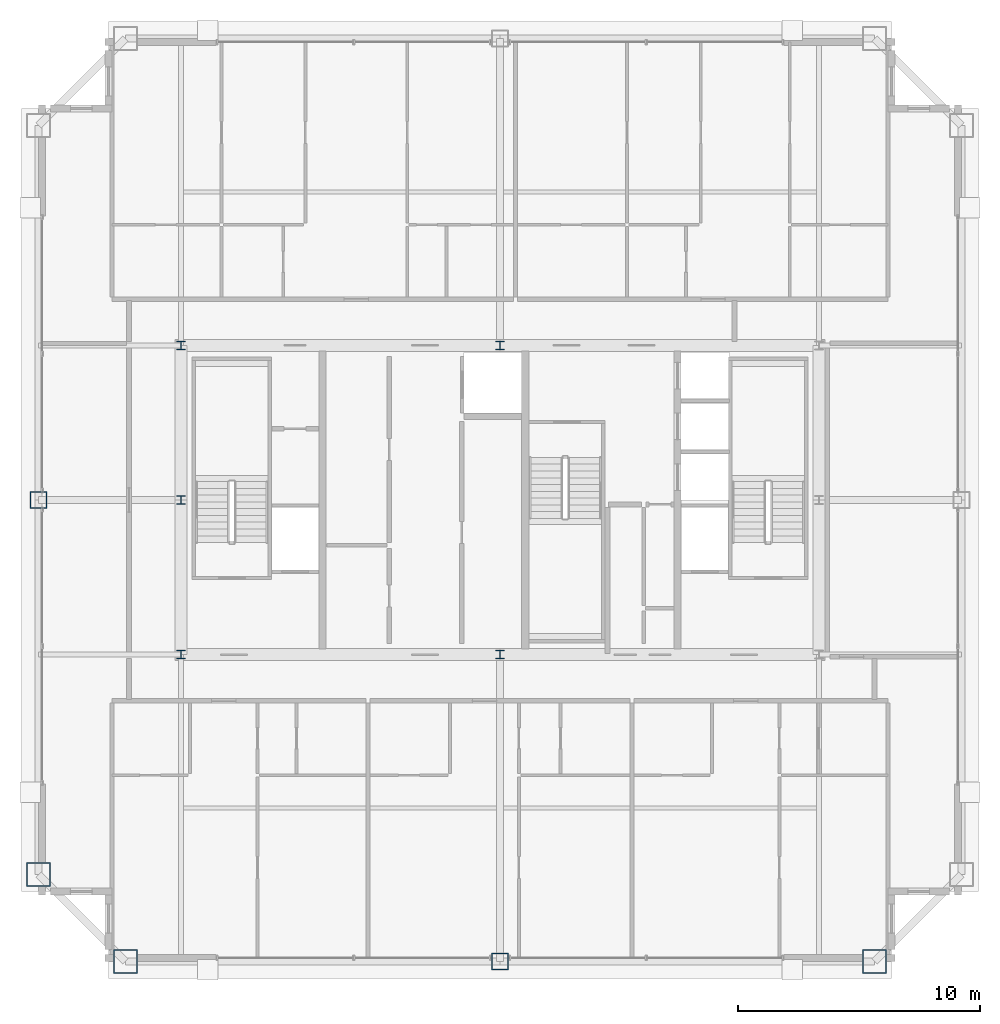
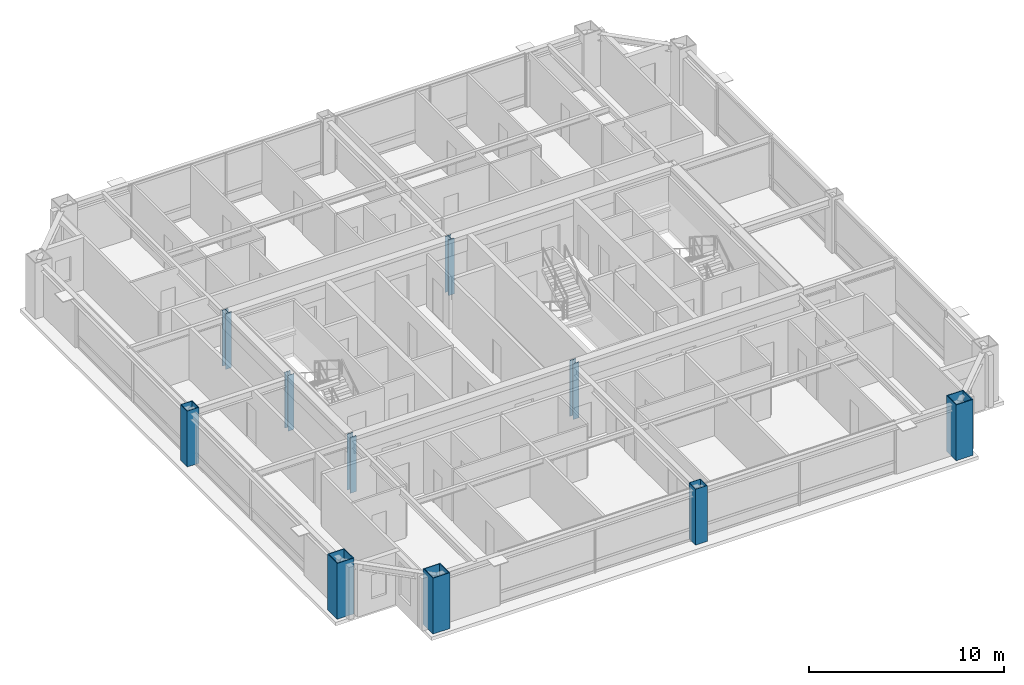
# One storey, part 1 of 35: 10 columns.
"""IFC4 building model written with IfcOpenShell, lengths in metres."""

from ifc_helpers import new_model, si_unit, direction, frame, origin, origin_2d, place, context, subcontext, project, spatial, hollow_rectangle, i_section, extrude, source, transform, mapped, material, material_profile, profile_set, type_object, element, save


model = new_model("IFC4")

# Units and contexts
model_context = context("Model", 3, precision=1e-05, world=origin(), true_north=direction((0.0, 1.0)))
body_context = subcontext(model_context, "Body", "Model", "MODEL_VIEW")
ifc_project = project(units=[si_unit("LENGTHUNIT", "METRE"), si_unit("AREAUNIT", "SQUARE_METRE"), si_unit("VOLUMEUNIT", "CUBIC_METRE"), si_unit("PLANEANGLEUNIT", "RADIAN"), si_unit("MASSUNIT", "GRAM", prefix="KILO"), si_unit("THERMODYNAMICTEMPERATUREUNIT", "KELVIN"), si_unit("POWERUNIT", "WATT")], contexts=[model_context])

# Site, building, storey
site_placement = place(None, origin())
site = spatial("IfcSite", under=ifc_project, at=site_placement, CompositionType="ELEMENT")
building_placement = place(site_placement, origin())
building = spatial("IfcBuilding", under=site, at=building_placement, Name="Yuzanri Waterfront Tower", CompositionType="ELEMENT")
storey_placement = place(building_placement, frame((0.0, 0.0, 289.10009765625)))
storey = spatial("IfcBuildingStorey", under=building, at=storey_placement, Name="L77", CompositionType="ELEMENT", Elevation=289.10009765625)

# Columns
ifc_material_1 = material(Name="Steel Q355B", Category="steel")
ifc_material_profile_1 = material_profile(ifc_material_1, hollow_rectangle(XDim=0.699951171875, YDim=0.699951171875, WallThickness=0.031982421875, at=origin_2d()), Name="RHS 700x700x32")
ifc_profile_set_1 = profile_set([ifc_material_profile_1], Name="Steel Q355B")
column_type_1 = type_object("IfcColumnType", Name="Frame Column Q355B RHS 700x700x32", PredefinedType="COLUMN", material=ifc_profile_set_1)
shared_shape_1 = source(origin(), body_context, "Body", "SweptSolid", [
    extrude(hollow_rectangle(XDim=0.699951171875, YDim=0.699951171875, WallThickness=0.031982421875, at=origin_2d()), origin(), (0.0, 0.0, 1.0), 3.5),
])
for number, where, z_axis, x_axis, name in (
    (1, (37.0, 6.699951171875, 0.0), (0.0, 0.0, 1.0), (1.0, 0.0, 0.0), "L77 Perimeter Frame Column S2"),
    (2, (17.89990234375, 25.800048828125, 0.0), (0.0, 0.0, 1.0), (1.0, 0.0, 0.0), "L77 Perimeter Frame Column W2"),
):
    element("IfcColumn", number, at=place(storey_placement, frame(where, z_axis=z_axis, x_axis=x_axis)), inside=storey, type_object=column_type_1, Name=name, PredefinedType="COLUMN", context=body_context, shape_type="MappedRepresentation", body=[
        mapped(shared_shape_1, transform((0.0, 0.0, 0.0), scale=1.0)),
    ])
ifc_material_2 = material(Name="Steel Q355B", Category="steel")
ifc_material_profile_2 = material_profile(ifc_material_2, i_section(OverallWidth=0.35009765625, OverallDepth=0.35009765625, WebThickness=0.011962890625, FlangeThickness=0.01904296875, at=origin_2d()), Name="HW 350x350x12x19")
ifc_profile_set_2 = profile_set([ifc_material_profile_2], Name="Steel Q355B")
column_type_2 = type_object("IfcColumnType", Name="Core Post Q355B HW 350x350x12x19", PredefinedType="COLUMN", material=ifc_profile_set_2)
shared_shape_2 = source(origin(), body_context, "Body", "SweptSolid", [
    extrude(i_section(OverallWidth=0.35009765625, OverallDepth=0.35009765625, WebThickness=0.011962890625, FlangeThickness=0.01904296875, at=origin_2d()), origin(), (0.0, 0.0, 1.0), 3.5),
])
for number, where, z_axis, x_axis, name in (
    (3, (23.800048828125, 19.39990234375, 0.0), (0.0, 0.0, 1.0), (1.0, 0.0, 0.0), "L77 Core Boundary Column CP1"),
    (4, (37.0, 19.39990234375, 0.0), (0.0, 0.0, 1.0), (1.0, 0.0, 0.0), "L77 Core Boundary Column CP2"),
    (5, (23.800048828125, 25.800048828125, 0.0), (0.0, 0.0, 1.0), (1.0, 0.0, 0.0), "L77 Core Boundary Column CP4"),
    (6, (23.800048828125, 32.199951171875, 0.0), (0.0, 0.0, 1.0), (1.0, 0.0, 0.0), "L77 Core Boundary Column CP6"),
    (7, (37.0, 32.199951171875, 0.0), (0.0, 0.0, 1.0), (1.0, 0.0, 0.0), "L77 Core Boundary Column CP7"),
):
    element("IfcColumn", number, at=place(storey_placement, frame(where, z_axis=z_axis, x_axis=x_axis)), inside=storey, type_object=column_type_2, Name=name, PredefinedType="COLUMN", context=body_context, shape_type="MappedRepresentation", body=[
        mapped(shared_shape_2, transform((0.0, 0.0, 0.0), scale=1.0)),
    ])
ifc_material_3 = material(Name="Steel Q390GJC", Category="steel")
ifc_material_profile_3 = material_profile(ifc_material_3, hollow_rectangle(XDim=1.0, YDim=1.0, WallThickness=0.048095703125, at=origin_2d()), Name="RHS 1000x1000x48")
ifc_profile_set_3 = profile_set([ifc_material_profile_3], Name="Steel Q390GJC")
column_type_3 = type_object("IfcColumnType", Name="Mega Column Q390GJC RHS 1000x1000x48", PredefinedType="COLUMN", material=ifc_profile_set_3)
shared_shape_3 = source(origin(), body_context, "Body", "SweptSolid", [
    extrude(hollow_rectangle(XDim=1.0, YDim=1.0, WallThickness=0.048095703125, at=origin_2d()), origin(), (0.0, 0.0, 1.0), 3.5),
])
for number, where, z_axis, x_axis, name in (
    (8, (21.5, 6.699951171875, 0.0), (0.0, 0.0, 1.0), (1.0, 0.0, 0.0), "L77 Perimeter Mega Column S1"),
    (9, (52.5, 6.699951171875, 0.0), (0.0, 0.0, 1.0), (1.0, 0.0, 0.0), "L77 Perimeter Mega Column S3"),
    (10, (17.89990234375, 10.300048828125, 0.0), (0.0, 0.0, 1.0), (1.0, 0.0, 0.0), "L77 Perimeter Mega Column W1"),
):
    element("IfcColumn", number, at=place(storey_placement, frame(where, z_axis=z_axis, x_axis=x_axis)), inside=storey, type_object=column_type_3, Name=name, PredefinedType="COLUMN", context=body_context, shape_type="MappedRepresentation", body=[
        mapped(shared_shape_3, transform((0.0, 0.0, 0.0), scale=1.0)),
    ])

save(model, "model.ifc")
